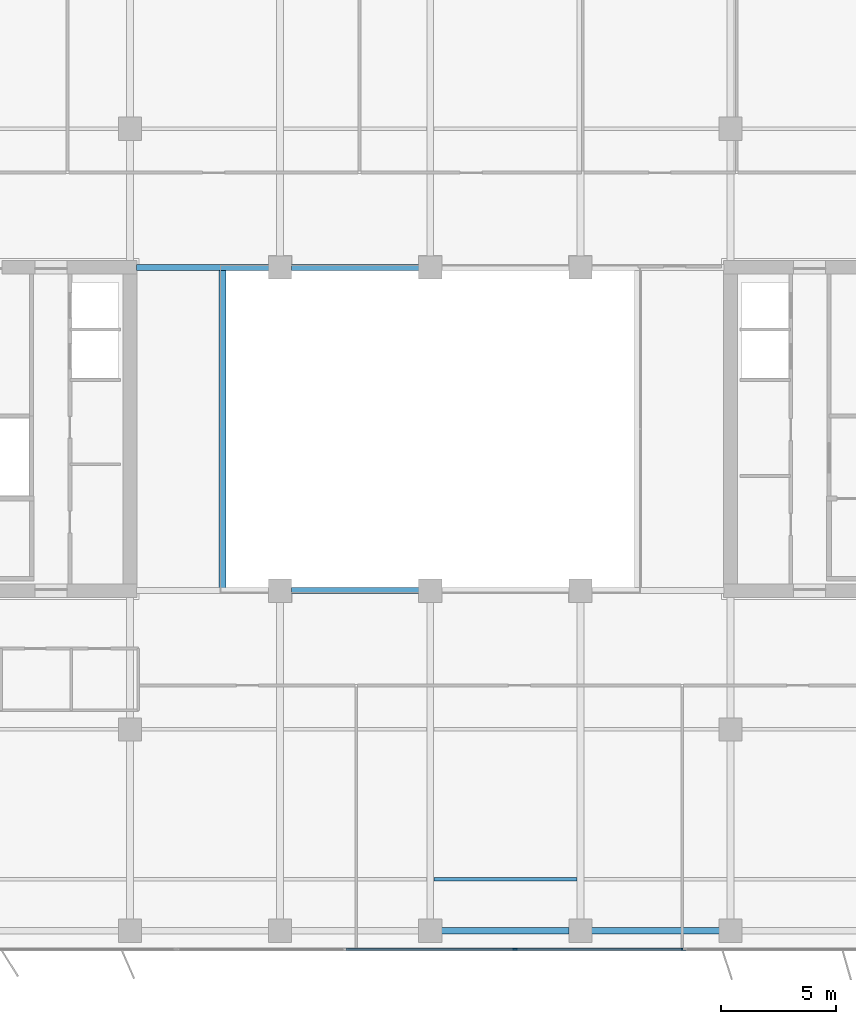
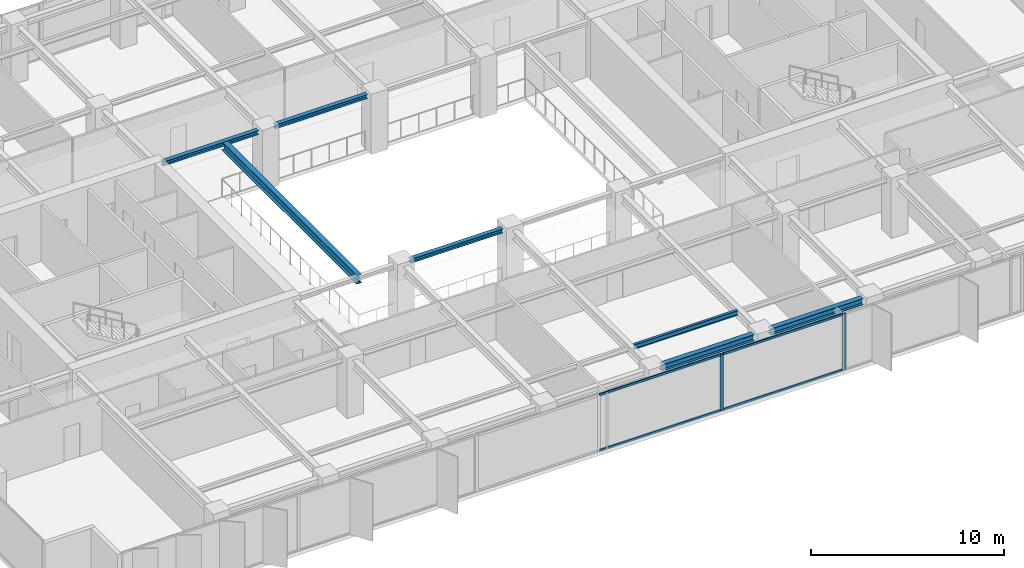
# One storey, part 5 of 22: 7 beams, 6 members, 1 element without a shape of its own.
"""IFC4 building model written with IfcOpenShell, lengths in metres."""

from ifc_helpers import new_model, si_unit, direction, frame, origin, origin_2d, place, context, subcontext, project, spatial, rectangle, i_section, extrude, material, layer, layer_set, material_profile, profile_set, type_object, element, aggregate, save


model = new_model("IFC4")

# Units and contexts
model_context = context("Model", 3, precision=1e-05, world=origin(), true_north=direction((0.0, 1.0)))
body_context = subcontext(model_context, "Body", "Model", "MODEL_VIEW")
ifc_project = project(units=[si_unit("LENGTHUNIT", "METRE"), si_unit("AREAUNIT", "SQUARE_METRE"), si_unit("VOLUMEUNIT", "CUBIC_METRE"), si_unit("PLANEANGLEUNIT", "RADIAN"), si_unit("MASSUNIT", "GRAM", prefix="KILO")], contexts=[model_context])

# Site, building, storey
site_placement = place(None, origin())
site = spatial("IfcSite", under=ifc_project, at=site_placement, CompositionType="ELEMENT")
building_placement = place(site_placement, origin())
building = spatial("IfcBuilding", under=site, at=building_placement, Name="Putna Gate Headquarters", CompositionType="ELEMENT")
storey_placement = place(building_placement, frame((0.0, 0.0, 155.60009765625)))
storey = spatial("IfcBuildingStorey", under=building, at=storey_placement, Name="L38", CompositionType="ELEMENT", Elevation=155.60009765625)

# Beams
ifc_material_1 = material(Name="Steel S355J2", Category="steel")
ifc_material_profile_1 = material_profile(ifc_material_1, i_section(OverallWidth=0.260009765625, OverallDepth=0.260009765625, WebThickness=0.010009765625, FlangeThickness=0.017578125, at=origin_2d()), Name="Steel S355J2")
ifc_profile_set_1 = profile_set([ifc_material_profile_1], Name="Steel S355J2")
beam_type_1 = type_object("IfcBeamType", Name="BM-ATRIUM-HEB260", PredefinedType="BEAM", material=ifc_profile_set_1)
beam_1_placement = place(storey_placement, frame((32.988037109375, 19.0, 3.44189453125), z_axis=(1.0, 0.0, 0.0), x_axis=(0.0, 1.0, 0.0)))
element("IfcBeam", 1, at=beam_1_placement, inside=storey, type_object=beam_type_1, Name="L38 Atrium Edge Beam AS2", PredefinedType="BEAM", context=body_context, shape_type="SweptSolid", body=[
    extrude(i_section(OverallWidth=0.260009765625, OverallDepth=0.260009765625, WebThickness=0.010009765625, FlangeThickness=0.017578125, at=origin_2d()), origin(), (0.0, 0.0, 1.0), 5.52392578125),
])
beam_2_placement = place(storey_placement, frame((26.284912109375, 33.0, 3.44189453125), z_axis=(1.0, 0.0, 0.0), x_axis=(0.0, 1.0, 0.0)))
element("IfcBeam", 2, at=beam_2_placement, inside=storey, type_object=beam_type_1, Name="L38 Atrium Edge Beam AN1", PredefinedType="BEAM", context=body_context, shape_type="SweptSolid", body=[
    extrude(i_section(OverallWidth=0.260009765625, OverallDepth=0.260009765625, WebThickness=0.010009765625, FlangeThickness=0.017578125, at=origin_2d()), origin(), (0.0, 0.0, 1.0), 5.72705078125),
])
beam_3_placement = place(storey_placement, frame((32.988037109375, 33.0, 3.44189453125), z_axis=(1.0, 0.0, 0.0), x_axis=(0.0, 1.0, 0.0)))
element("IfcBeam", 3, at=beam_3_placement, inside=storey, type_object=beam_type_1, Name="L38 Atrium Edge Beam AN2", PredefinedType="BEAM", context=body_context, shape_type="SweptSolid", body=[
    extrude(i_section(OverallWidth=0.260009765625, OverallDepth=0.260009765625, WebThickness=0.010009765625, FlangeThickness=0.017578125, at=origin_2d()), origin(), (0.0, 0.0, 1.0), 5.52392578125),
])
ifc_material_profile_2 = material_profile(ifc_material_1, i_section(OverallWidth=0.300048828125, OverallDepth=0.550048828125, WebThickness=0.014892578125, FlangeThickness=0.029052734375, at=origin_2d()), Name="Steel S355J2")
ifc_profile_set_2 = profile_set([ifc_material_profile_2], Name="Steel S355J2")
beam_type_2 = type_object("IfcBeamType", Name="BM-GIRD-Z3-HEB550", PredefinedType="USERDEFINED", material=ifc_profile_set_2)
beam_4_placement = place(storey_placement, frame((30.0, 19.010009765625, 3.296875), z_axis=(0.0, 1.0, 0.0), x_axis=(-1.0, 0.0, 0.0)))
element("IfcBeam", 4, at=beam_4_placement, inside=storey, type_object=beam_type_2, Name="L38 Atrium Trim Girder AW", ObjectType="GIRDER", PredefinedType="USERDEFINED", context=body_context, shape_type="SweptSolid", body=[
    extrude(i_section(OverallWidth=0.300048828125, OverallDepth=0.550048828125, WebThickness=0.014892578125, FlangeThickness=0.029052734375, at=origin_2d()), origin(), (0.0, 0.0, 1.0), 13.97998046875),
])
ifc_material_profile_3 = material_profile(ifc_material_1, i_section(OverallWidth=0.14990234375, OverallDepth=0.300048828125, WebThickness=0.007080078125, FlangeThickness=0.0107421875, at=origin_2d()), Name="Steel S355J2")
ifc_profile_set_3 = profile_set([ifc_material_profile_3], Name="Steel S355J2")
beam_type_3 = type_object("IfcBeamType", Name="BM-SEC-Z3-IPE300", PredefinedType="JOIST", material=ifc_profile_set_3)
beam_5_placement = place(storey_placement, frame((39.154052734375, 6.5, 3.421875), z_axis=(1.0, 0.0, 0.0), x_axis=(0.0, 1.0, 0.0)))
element("IfcBeam", 5, at=beam_5_placement, inside=storey, type_object=beam_type_3, Name="L38 South Secondary Beam 5", PredefinedType="JOIST", context=body_context, shape_type="SweptSolid", body=[
    extrude(i_section(OverallWidth=0.14990234375, OverallDepth=0.300048828125, WebThickness=0.007080078125, FlangeThickness=0.0107421875, at=origin_2d()), origin(), (0.0, 0.0, 1.0), 6.19189453125),
])
ifc_material_profile_4 = material_profile(ifc_material_1, i_section(OverallWidth=0.300048828125, OverallDepth=0.39990234375, WebThickness=0.013427734375, FlangeThickness=0.02392578125, at=origin_2d()), Name="Steel S355J2")
ifc_profile_set_4 = profile_set([ifc_material_profile_4], Name="Steel S355J2")
beam_type_4 = type_object("IfcBeamType", Name="BM-SPAN-Z3-HEB400", PredefinedType="SPANDREL", material=ifc_profile_set_4)
for number, where, z_axis, x_axis, name in (
    (6, (39.488037109375, 4.280029296875, 3.371826171875), (1.0, 0.0, 0.0), (0.0, 1.0, 0.0), "L38 S Perimeter Spandrel 5"),
    (7, (45.988037109375, 4.280029296875, 3.371826171875), (1.0, 0.0, 0.0), (0.0, 1.0, 0.0), "L38 S Perimeter Spandrel 6"),
):
    element("IfcBeam", number, at=place(storey_placement, frame(where, z_axis=z_axis, x_axis=x_axis)), inside=storey, type_object=beam_type_4, Name=name, PredefinedType="SPANDREL", context=body_context, shape_type="SweptSolid", body=[
        extrude(i_section(OverallWidth=0.300048828125, OverallDepth=0.39990234375, WebThickness=0.013427734375, FlangeThickness=0.02392578125, at=origin_2d()), origin(), (0.0, 0.0, 1.0), 5.52392578125),
    ])

# Curtain wall, members
ifc_material_2 = material(Name="Anodised bronze aluminium curtain wall", Category="aluminium")
ifc_layer = layer(ifc_material_2, 0.179931640625)
ifc_layer_set = layer_set([ifc_layer], Name="Anodised bronze aluminium curtain wall")
curtain_wall_type = type_object("IfcCurtainWallType", Name="CW-SYS-ATR", PredefinedType="USERDEFINED", material=ifc_layer_set)
curtain_wall_placement = place(storey_placement, origin())
curtain_wall = element("IfcCurtainWall", 8, at=curtain_wall_placement, inside=storey, type_object=curtain_wall_type, Name="L38 South Atrium Clear Glazing", ObjectType="ATRIUM GLAZING", PredefinedType="USERDEFINED")
ifc_material_3 = material(Name="Anodised bronze aluminium EN AW-6060", Category="aluminium")
ifc_material_profile_5 = material_profile(ifc_material_3, rectangle(XDim=0.070068359375, YDim=0.179931640625, at=origin_2d()), Name="Anodised bronze aluminium EN AW-6060")
ifc_profile_set_5 = profile_set([ifc_material_profile_5], Name="Anodised bronze aluminium EN AW-6060")
member_type_1 = type_object("IfcMemberType", Name="MULL-CWM-AT", PredefinedType="MULLION", material=ifc_profile_set_5)
member_1_placement = place(storey_placement, frame((42.666748046875, 3.47998046875, 0.0), z_axis=(0.0, 0.0, 1.0), x_axis=(0.0, 1.0, 0.0)))
member_1 = element("IfcMember", 9, at=member_1_placement, type_object=member_type_1, Name="CWS-AT mullion 3", PredefinedType="MULLION", context=body_context, shape_type="SweptSolid", body=[
    extrude(rectangle(XDim=0.070068359375, YDim=0.179931640625, at=origin_2d()), origin(), (0.0, 0.0, 1.0), 3.572021484375),
])
member_2_placement = place(storey_placement, frame((49.965087890625, 3.47998046875, 0.0), z_axis=(0.0, 0.0, 1.0), x_axis=(0.0, 1.0, 0.0)))
member_2 = element("IfcMember", 10, at=member_2_placement, type_object=member_type_1, Name="CWS-AT mullion 4", PredefinedType="MULLION", context=body_context, shape_type="SweptSolid", body=[
    extrude(rectangle(XDim=0.070068359375, YDim=0.179931640625, at=origin_2d()), origin(), (0.0, 0.0, 1.0), 3.572021484375),
])
ifc_material_profile_6 = material_profile(ifc_material_3, rectangle(XDim=0.070068359375, YDim=0.139892578125, at=origin_2d()), Name="Anodised bronze aluminium EN AW-6060")
ifc_profile_set_6 = profile_set([ifc_material_profile_6], Name="Anodised bronze aluminium EN AW-6060")
member_type_2 = type_object("IfcMemberType", Name="TRAN-CWT-AT", PredefinedType="USERDEFINED", material=ifc_profile_set_6)
member_3_placement = place(storey_placement, frame((35.368408203125, 3.47998046875, 0.034912109375), z_axis=(1.0, 0.0, 0.0), x_axis=(0.0, 1.0, 0.0)))
member_3 = element("IfcMember", 11, at=member_3_placement, type_object=member_type_2, Name="CWS-AT transom 2.1", ObjectType="TRANSOM", PredefinedType="USERDEFINED", context=body_context, shape_type="SweptSolid", body=[
    extrude(rectangle(XDim=0.070068359375, YDim=0.139892578125, at=origin_2d()), origin(), (0.0, 0.0, 1.0), 7.26318359375),
])
member_4_placement = place(storey_placement, frame((35.368408203125, 3.47998046875, 3.536865234375), z_axis=(1.0, 0.0, 0.0), x_axis=(0.0, 1.0, 0.0)))
member_4 = element("IfcMember", 12, at=member_4_placement, type_object=member_type_2, Name="CWS-AT transom 2.2", ObjectType="TRANSOM", PredefinedType="USERDEFINED", context=body_context, shape_type="SweptSolid", body=[
    extrude(rectangle(XDim=0.070068359375, YDim=0.139892578125, at=origin_2d()), origin(), (0.0, 0.0, 1.0), 7.26318359375),
])
member_5_placement = place(storey_placement, frame((42.70166015625, 3.47998046875, 0.034912109375), z_axis=(1.0, 0.0, 0.0), x_axis=(0.0, 1.0, 0.0)))
member_5 = element("IfcMember", 13, at=member_5_placement, type_object=member_type_2, Name="CWS-AT transom 3.1", ObjectType="TRANSOM", PredefinedType="USERDEFINED", context=body_context, shape_type="SweptSolid", body=[
    extrude(rectangle(XDim=0.070068359375, YDim=0.139892578125, at=origin_2d()), origin(), (0.0, 0.0, 1.0), 7.228271484375),
])
member_6_placement = place(storey_placement, frame((42.70166015625, 3.47998046875, 3.536865234375), z_axis=(1.0, 0.0, 0.0), x_axis=(0.0, 1.0, 0.0)))
member_6 = element("IfcMember", 14, at=member_6_placement, type_object=member_type_2, Name="CWS-AT transom 3.2", ObjectType="TRANSOM", PredefinedType="USERDEFINED", context=body_context, shape_type="SweptSolid", body=[
    extrude(rectangle(XDim=0.070068359375, YDim=0.139892578125, at=origin_2d()), origin(), (0.0, 0.0, 1.0), 7.228271484375),
])
aggregate(curtain_wall, [member_1, member_2, member_3, member_4, member_5, member_6])

save(model, "model.ifc")
